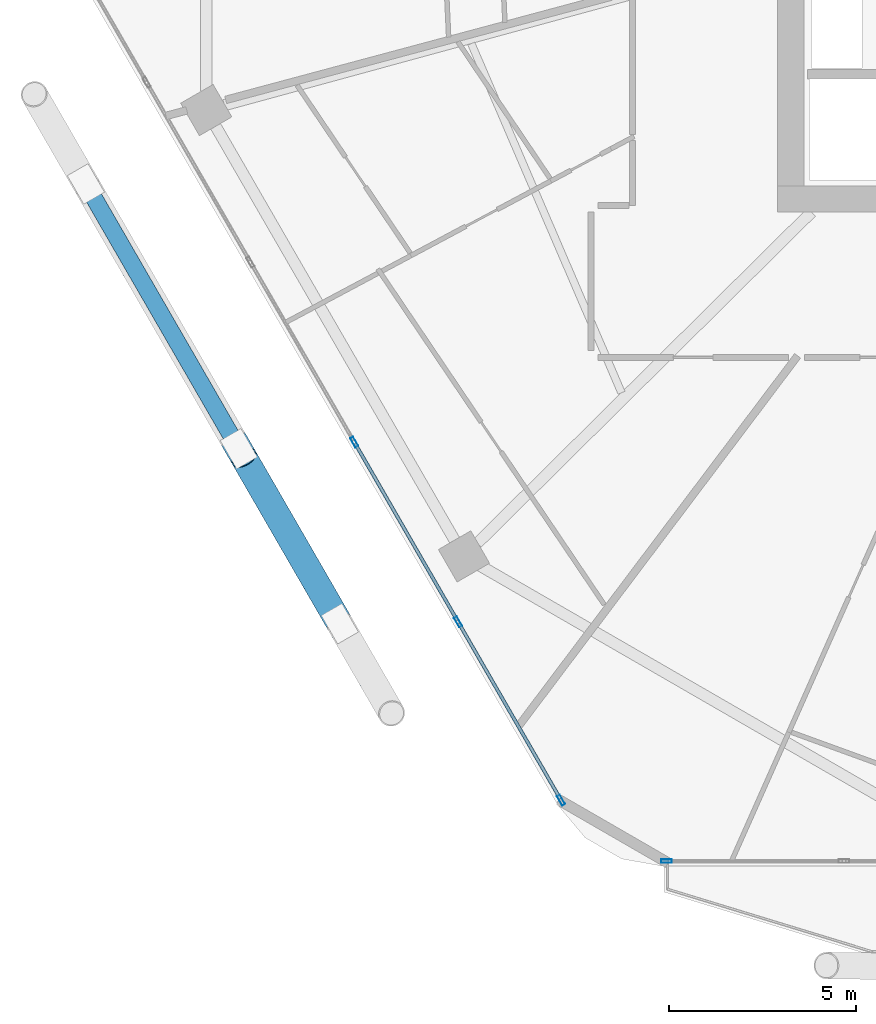
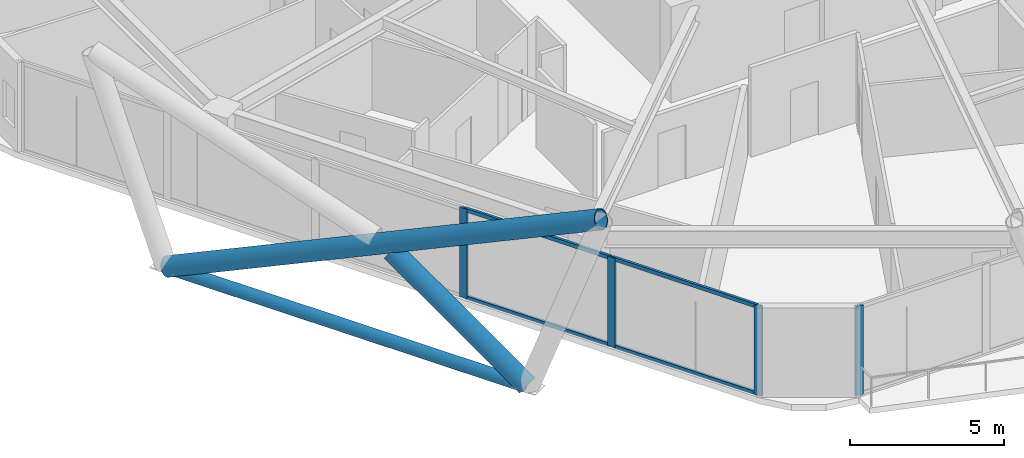
# One storey, part 2 of 29: 11 members, 2 elements without a shape of their own.
"""IFC4 building model written with IfcOpenShell, lengths in metres."""

from ifc_helpers import new_model, si_unit, direction, frame, origin, origin_2d, place, context, subcontext, project, spatial, hollow_rectangle, hollow_circle, extrude, material, material_profile, profile_set, type_object, element, aggregate, save


model = new_model("IFC4")

# Units and contexts
model_context = context("Model", 3, precision=1e-05, world=origin(), true_north=direction((0.0, 1.0)))
body_context = subcontext(model_context, "Body", "Model", "MODEL_VIEW")
ifc_project = project(units=[si_unit("LENGTHUNIT", "METRE"), si_unit("AREAUNIT", "SQUARE_METRE"), si_unit("VOLUMEUNIT", "CUBIC_METRE"), si_unit("PLANEANGLEUNIT", "RADIAN"), si_unit("MASSUNIT", "GRAM", prefix="KILO")], contexts=[model_context])

# Site, building, storey
site_placement = place(None, origin())
site = spatial("IfcSite", under=ifc_project, at=site_placement, CompositionType="ELEMENT")
building_placement = place(site_placement, origin())
building = spatial("IfcBuilding", under=site, at=building_placement, Name="Zuhravey Tower", CompositionType="ELEMENT")
storey_placement = place(building_placement, frame((0.0, 0.0, 184.60009765625)))
storey = spatial("IfcBuildingStorey", under=building, at=storey_placement, Name="L46", CompositionType="ELEMENT", Elevation=184.60009765625)

# Curtain wall, member
ifc_material_1 = material(Name="Thermally broken anodised aluminium", Category="aluminium")
curtain_wall_type = type_object("IfcCurtainWallType", Name="Zone 1-2 Residential Curtain Wall CW3", PredefinedType="NOTDEFINED", material=ifc_material_1)
curtain_wall_1_placement = place(storey_placement, origin())
curtain_wall_1 = element("IfcCurtainWall", 1, at=curtain_wall_1_placement, inside=storey, type_object=curtain_wall_type, Name="L46 CW3 CW-L46-F5-2", PredefinedType="NOTDEFINED")
ifc_material_2 = material(Name="Anodised aluminium", Category="aluminium")
ifc_material_profile_1 = material_profile(ifc_material_2, hollow_rectangle(XDim=0.090087890625, YDim=0.284912109375, WallThickness=0.0048828125, at=origin_2d()), Name="ALU-RHS-90x285x5")
ifc_profile_set_1 = profile_set([ifc_material_profile_1], Name="Anodised aluminium")
member_type_1 = type_object("IfcMemberType", Name="Curtain-Wall Mullion 90x180", PredefinedType="MULLION", material=ifc_profile_set_1)
member_1_placement = place(storey_placement, frame((22.183837890625, 4.81689453125, 0.0), z_axis=(0.0, 0.0, 1.0), x_axis=(0.0, -1.0, 0.0)))
member_1 = element("IfcMember", 2, at=member_1_placement, type_object=member_type_1, Name="CW3 mullion 4", PredefinedType="MULLION", context=body_context, shape_type="SweptSolid", body=[
    extrude(hollow_rectangle(XDim=0.090087890625, YDim=0.284912109375, WallThickness=0.0048828125, at=origin_2d()), origin(), (0.0, 0.0, 1.0), 3.5498046875),
])
aggregate(curtain_wall_1, [member_1])

# Curtain wall, members
curtain_wall_2_placement = place(storey_placement, origin())
curtain_wall_2 = element("IfcCurtainWall", 3, at=curtain_wall_2_placement, inside=storey, type_object=curtain_wall_type, Name="L46 CW3 CW-L46-F4-1", PredefinedType="NOTDEFINED")
member_2_placement = place(storey_placement, frame((19.36669921875, 6.443359375, 0.0), z_axis=(0.0, 0.0, 1.0), x_axis=(-0.866025138215, -0.500000459979, 0.0)))
member_2 = element("IfcMember", 4, at=member_2_placement, type_object=member_type_1, Name="CW3 mullion 1", PredefinedType="MULLION", context=body_context, shape_type="SweptSolid", body=[
    extrude(hollow_rectangle(XDim=0.090087890625, YDim=0.284912109375, WallThickness=0.0048828125, at=origin_2d()), origin(), (0.0, 0.0, 1.0), 3.5498046875),
])
member_3_placement = place(storey_placement, frame((16.6171875, 11.2060546875, 0.0), z_axis=(0.0, 0.0, 1.0), x_axis=(-0.866025138215, -0.500000459979, 0.0)))
member_3 = element("IfcMember", 5, at=member_3_placement, type_object=member_type_1, Name="CW3 mullion 2", PredefinedType="MULLION", context=body_context, shape_type="SweptSolid", body=[
    extrude(hollow_rectangle(XDim=0.090087890625, YDim=0.284912109375, WallThickness=0.0048828125, at=origin_2d()), origin(), (0.0, 0.0, 1.0), 3.5498046875),
])
member_4_placement = place(storey_placement, frame((13.844970703125, 16.007568359375, 0.0), z_axis=(0.0, 0.0, 1.0), x_axis=(-0.866025138215, -0.500000459979, 0.0)))
member_4 = element("IfcMember", 6, at=member_4_placement, type_object=member_type_1, Name="CW3 mullion 3", PredefinedType="MULLION", context=body_context, shape_type="SweptSolid", body=[
    extrude(hollow_rectangle(XDim=0.090087890625, YDim=0.284912109375, WallThickness=0.0048828125, at=origin_2d()), origin(), (0.0, 0.0, 1.0), 3.5498046875),
])
ifc_material_profile_2 = material_profile(ifc_material_2, hollow_rectangle(XDim=0.090087890625, YDim=0.14990234375, WallThickness=0.0048828125, at=origin_2d()), Name="ALU-RHS-90x150x5")
ifc_profile_set_2 = profile_set([ifc_material_profile_2], Name="Anodised aluminium")
member_type_2 = type_object("IfcMemberType", Name="Curtain-Wall Transom 90x150", PredefinedType="USERDEFINED", material=ifc_profile_set_2)
member_5_placement = place(storey_placement, frame((19.34423828125, 6.482421875, 0.044921875), z_axis=(-0.499993332629, 0.866029253159, 0.0), x_axis=(-0.866029253159, -0.499993332629, 0.0)))
member_5 = element("IfcMember", 7, at=member_5_placement, type_object=member_type_2, Name="CW3 transom 1.1", ObjectType="TRANSOM", PredefinedType="USERDEFINED", context=body_context, shape_type="SweptSolid", body=[
    extrude(hollow_rectangle(XDim=0.090087890625, YDim=0.14990234375, WallThickness=0.0048828125, at=origin_2d()), origin(), (0.0, 0.0, 1.0), 5.4091796875),
])
member_6_placement = place(storey_placement, frame((19.34423828125, 6.482421875, 3.5048828125), z_axis=(-0.499993332629, 0.866029253159, 0.0), x_axis=(-0.866029253159, -0.499993332629, 0.0)))
member_6 = element("IfcMember", 8, at=member_6_placement, type_object=member_type_2, Name="CW3 transom 1.2", ObjectType="TRANSOM", PredefinedType="USERDEFINED", context=body_context, shape_type="SweptSolid", body=[
    extrude(hollow_rectangle(XDim=0.090087890625, YDim=0.14990234375, WallThickness=0.0048828125, at=origin_2d()), origin(), (0.0, 0.0, 1.0), 5.4091796875),
])
member_7_placement = place(storey_placement, frame((16.594482421875, 11.244873046875, 0.044921875), z_axis=(-0.49996138257, 0.86604769842, 0.0), x_axis=(-0.86604769842, -0.49996138257, 0.0)))
member_7 = element("IfcMember", 9, at=member_7_placement, type_object=member_type_2, Name="CW3 transom 2.1", ObjectType="TRANSOM", PredefinedType="USERDEFINED", context=body_context, shape_type="SweptSolid", body=[
    extrude(hollow_rectangle(XDim=0.090087890625, YDim=0.14990234375, WallThickness=0.0048828125, at=origin_2d()), origin(), (0.0, 0.0, 1.0), 5.45458984375),
])
member_8_placement = place(storey_placement, frame((16.594482421875, 11.244873046875, 3.5048828125), z_axis=(-0.49996138257, 0.86604769842, 0.0), x_axis=(-0.86604769842, -0.49996138257, 0.0)))
member_8 = element("IfcMember", 10, at=member_8_placement, type_object=member_type_2, Name="CW3 transom 2.2", ObjectType="TRANSOM", PredefinedType="USERDEFINED", context=body_context, shape_type="SweptSolid", body=[
    extrude(hollow_rectangle(XDim=0.090087890625, YDim=0.14990234375, WallThickness=0.0048828125, at=origin_2d()), origin(), (0.0, 0.0, 1.0), 5.45458984375),
])
aggregate(curtain_wall_2, [member_2, member_3, member_4, member_5, member_6, member_7, member_8])

# Members
ifc_material_3 = material(Name="Steel SM355", Category="steel")
ifc_material_profile_3 = material_profile(ifc_material_3, hollow_circle(Radius=0.228515625, WallThickness=0.02197265625, at=origin_2d()), Name="CHS-457.2x22")
ifc_profile_set_3 = profile_set([ifc_material_profile_3], Name="Steel SM355")
member_type_3 = type_object("IfcMemberType", Name="Exoskeleton Ring Tie CHS457x22", PredefinedType="CHORD", material=ifc_profile_set_3)
member_9_placement = place(storey_placement, frame((6.748046875, 22.779541015625, -0.464111328125), z_axis=(0.500004091344, -0.866023041633, 0.0), x_axis=(0.866023041633, 0.500004091344, 0.0)))
element("IfcMember", 11, at=member_9_placement, inside=storey, type_object=member_type_3, Name="L46 Exoskeleton Face 4 Tie EXR1", PredefinedType="CHORD", context=body_context, shape_type="SweptSolid", body=[
    extrude(hollow_circle(Radius=0.228515625, WallThickness=0.02197265625, at=origin_2d()), origin(), (0.0, 0.0, 1.0), 13.28173828125),
])
ifc_material_4 = material(Name="Steel SM460", Category="steel")
ifc_material_profile_4 = material_profile(ifc_material_4, hollow_circle(Radius=0.355712890625, WallThickness=0.031982421875, at=origin_2d()), Name="CHS-711.2x32")
ifc_profile_set_4 = profile_set([ifc_material_profile_4], Name="Steel SM460")
member_type_4 = type_object("IfcMemberType", Name="Exoskeleton Zone 2 Diagrid CHS711x32", PredefinedType="BRACE", material=ifc_profile_set_4)
member_10_placement = place(storey_placement, frame((6.699462890625, 22.86376953125, -0.444091796875), z_axis=(0.453338388553, -0.785209877744, 0.421817203724), x_axis=(0.866026715089, 0.499997728747, 0.0)))
element("IfcMember", 12, at=member_10_placement, inside=storey, type_object=member_type_4, Name="L46 Face 4 Diagrid Brace 2", PredefinedType="BRACE", context=body_context, shape_type="SweptSolid", body=[
    extrude(hollow_circle(Radius=0.355712890625, WallThickness=0.031982421875, at=origin_2d()), origin(), (0.0, 0.0, 1.0), 17.922607421875),
])
member_11_placement = place(storey_placement, frame((13.439697265625, 11.189453125, -0.436767578125), z_axis=(-0.408754040359, 0.707971912813, 0.575930469032), x_axis=(-0.866022084834, -0.500005748546, 0.0)))
element("IfcMember", 13, at=member_11_placement, inside=storey, type_object=member_type_4, Name="L46 Face 4 Split Diagrid Brace 3A", PredefinedType="BRACE", context=body_context, shape_type="SweptSolid", body=[
    extrude(hollow_circle(Radius=0.355712890625, WallThickness=0.031982421875, at=origin_2d()), origin(), (0.0, 0.0, 1.0), 6.205078125),
])

save(model, "model.ifc")
